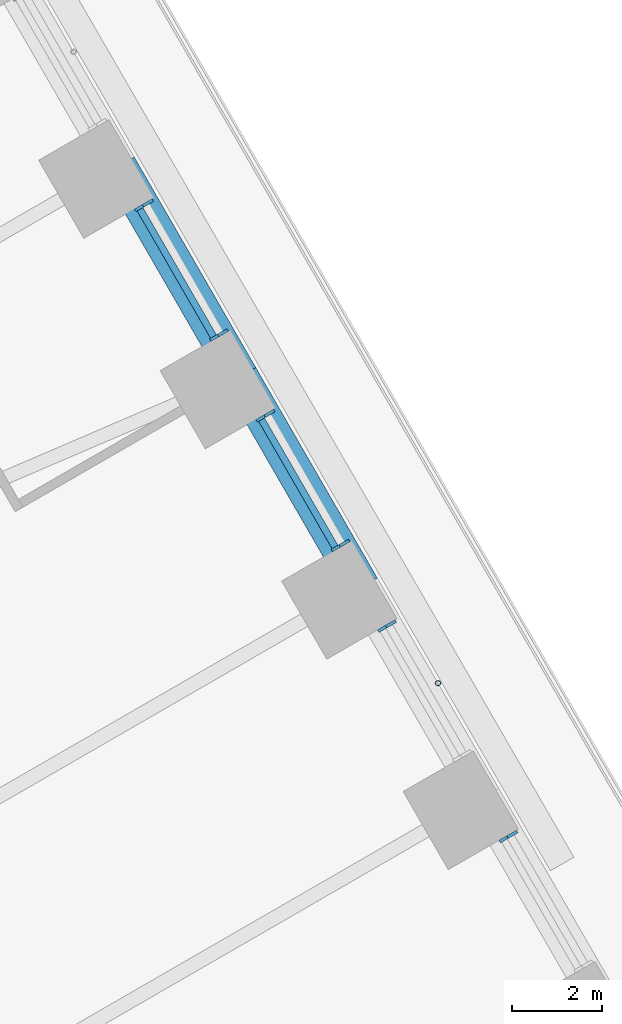
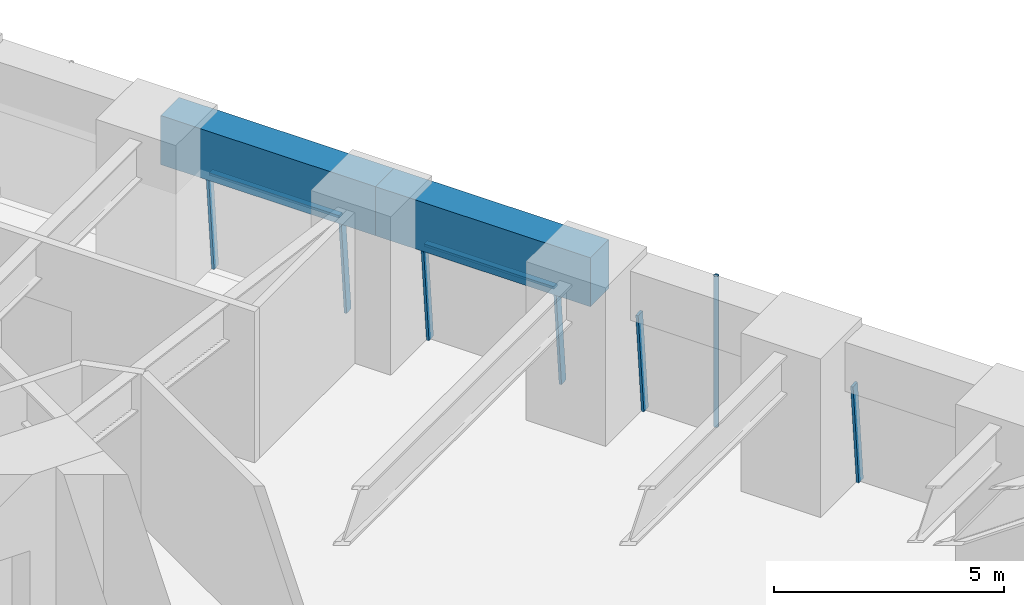
# One storey, part 13 of 23: 9 members, 2 beams, 4 elements without a shape of their own.
"""IFC4 building model written with IfcOpenShell, lengths in metres."""

import ifcopenshell
import ifcopenshell.guid

model = None  # the IFC model being written
_history = None  # IfcOwnerHistory: only IFC2X3 demands one
_inside = {}  # id of a spatial element -> (the spatial element, [elements in it])
_under = {}  # id of a project, library or spatial element -> (it, [spatial elements below it])
_declared = {}  # id of a project -> (the project, [libraries it declares])
_typed = {}  # id of a type object -> (the type object, [elements of that type])
_made_of = {}  # id of a material, layer set ... -> (it, [elements and type objects made of it])


def new_model(schema):
    """Start an empty IFC model of exactly this schema.

    Asked for "IFC4X3", IfcOpenShell would pick the latest addendum, in which some entities
    have other attributes; the version numbers below select the first issue.
    IFC2X3 requires an IfcOwnerHistory on every rooted entity: one is made here for all.
    """
    global model, _history
    if schema == "IFC4X3":
        model = ifcopenshell.file(schema_version=(4, 3, 0, 0))
    else:
        model = ifcopenshell.file(schema=schema)
    _inside.clear()
    _under.clear()
    _declared.clear()
    _typed.clear()
    _made_of.clear()
    _history = None
    if model.schema == "IFC2X3":
        org = make("IfcOrganization", Name="unknown")
        user = make(
            "IfcPersonAndOrganization",
            ThePerson=make("IfcPerson", FamilyName="unknown"),
            TheOrganization=org,
        )
        app = make(
            "IfcApplication",
            ApplicationDeveloper=org,
            Version="unknown",
            ApplicationFullName="unknown",
            ApplicationIdentifier="unknown",
        )
        _history = make(
            "IfcOwnerHistory",
            OwningUser=user,
            OwningApplication=app,
            ChangeAction="ADDED",
            CreationDate=0,
        )
    return model


def make(cls, **values):
    """One entity of the class cls with the attributes given. An attribute that is None is left unset."""
    return model.create_entity(
        cls, **{name: value for name, value in values.items() if value is not None}
    )


def rooted(cls, **values):
    """An entity with a GlobalId (a new one), such as an element, a storey or a relation."""
    return make(cls, GlobalId=ifcopenshell.guid.new(), OwnerHistory=_history, **values)


def si_unit(unit_type, name, prefix=None):
    """IfcSIUnit, for example si_unit("LENGTHUNIT", "METRE", prefix="MILLI")."""
    return make("IfcSIUnit", UnitType=unit_type, Prefix=prefix, Name=name)


def assignment(units):
    """IfcUnitAssignment: the units of a project."""
    return None if units is None else make("IfcUnitAssignment", Units=units)


def point(xyz):
    """IfcCartesianPoint."""
    return None if xyz is None else make("IfcCartesianPoint", Coordinates=xyz)


def direction(xyz):
    """IfcDirection."""
    return None if xyz is None else make("IfcDirection", DirectionRatios=xyz)


def frame(location, z_axis=None, x_axis=None):
    """IfcAxis2Placement3D, a coordinate frame: its origin and axes. An axis left out is left unset."""
    return make(
        "IfcAxis2Placement3D",
        Location=point(location),
        Axis=direction(z_axis),
        RefDirection=direction(x_axis),
    )


def frame_2d(location, x_axis=None):
    """IfcAxis2Placement2D, a coordinate frame in the plane: its origin and x axis."""
    return make(
        "IfcAxis2Placement2D", Location=point(location), RefDirection=direction(x_axis)
    )


def origin():
    """The frame at (0, 0, 0) with its axes left unset."""
    return frame((0.0, 0.0, 0.0))


def origin_2d():
    """The frame at (0, 0) in the plane with its x axis left unset."""
    return frame_2d((0.0, 0.0))


def place(relative_to, where):
    """IfcLocalPlacement: puts the frame where relative to a parent placement (None: the world)."""
    return make(
        "IfcLocalPlacement", PlacementRelTo=relative_to, RelativePlacement=where
    )


def context(
    kind, dimensions, precision=None, world=None, true_north=None, identifier=None
):
    """IfcGeometricRepresentationContext, for example the 3D "Model" context."""
    return make(
        "IfcGeometricRepresentationContext",
        ContextIdentifier=identifier,
        ContextType=kind,
        CoordinateSpaceDimension=dimensions,
        Precision=precision,
        WorldCoordinateSystem=world,
        TrueNorth=true_north,
    )


def subcontext(parent, identifier, kind, view, scale=None):
    """IfcGeometricRepresentationSubContext, for example "Body" below "Model"."""
    return make(
        "IfcGeometricRepresentationSubContext",
        ContextIdentifier=identifier,
        ContextType=kind,
        ParentContext=parent,
        TargetScale=scale,
        TargetView=view,
    )


def project(units=None, contexts=None):
    """IfcProject with its units and contexts."""
    return rooted(
        "IfcProject",
        Name="project",
        RepresentationContexts=contexts,
        UnitsInContext=assignment(units),
    )


def spatial(cls, under=None, at=None, **own):
    """A site, building, storey or space (cls), placed at a placement, below another one or the project."""
    s = rooted(cls, ObjectPlacement=at, **own)
    if under is not None:
        _under.setdefault(under.id(), (under, []))[1].append(s)
    return s


def profile(cls, at=None, kind="AREA", **sizes):
    """A parametric profile (cls). Its sizes go by their IFC names, for example OverallWidth=200.0."""
    return make(cls, ProfileType=kind, Position=at, **sizes)


def rectangle(**sizes):
    """IfcRectangleProfileDef."""
    return profile("IfcRectangleProfileDef", **sizes)


def hollow_circle(**sizes):
    """IfcCircleHollowProfileDef."""
    return profile("IfcCircleHollowProfileDef", **sizes)


def extrude(swept, where, along, depth):
    """IfcExtrudedAreaSolid: the profile swept, set in the frame where, extruded along a direction by depth."""
    return make(
        "IfcExtrudedAreaSolid",
        SweptArea=swept,
        Position=where,
        ExtrudedDirection=direction(along),
        Depth=depth,
    )


def shape(context_of_items, identifier, shape_type, items):
    """IfcShapeRepresentation: the items that make up one representation, for example the "Body"."""
    return make(
        "IfcShapeRepresentation",
        ContextOfItems=context_of_items,
        RepresentationIdentifier=identifier,
        RepresentationType=shape_type,
        Items=items,
    )


def material(Name=None, Category=None):
    """IfcMaterial."""
    return make("IfcMaterial", Name=Name, Category=Category)


def material_profile(
    of_material, cross_section, Name=None, Category=None, Priority=None
):
    """IfcMaterialProfile: a cross section and its material."""
    return make(
        "IfcMaterialProfile",
        Name=Name,
        Material=of_material,
        Profile=cross_section,
        Priority=Priority,
        Category=Category,
    )


def profile_set(profiles, Name=None, composite=None):
    """IfcMaterialProfileSet."""
    return make(
        "IfcMaterialProfileSet",
        Name=Name,
        MaterialProfiles=profiles,
        CompositeProfile=composite,
    )


def made_of(thing, what):
    """Note that an element or type object is made of a material, layer set ...; save() writes the relation."""
    if what is not None:
        _made_of.setdefault(what.id(), (what, []))[1].append(thing)
    return thing


def type_object(cls, material=None, **own):
    """A type object (cls), such as IfcWallType, which elements share."""
    return made_of(rooted(cls, **own), material)


def element(
    cls,
    number,
    at=None,
    inside=None,
    cuts=None,
    type_object=None,
    material=None,
    context=None,
    identifier="Body",
    shape_type=None,
    held_by="IfcProductDefinitionShape",
    body=None,
    shapes=None,
    **own,
):
    """One element of the class cls, such as IfcWall. Its Tag is "e" and its number.

    at: its placement. inside: the storey or other place that contains it. cuts: it is an
    opening in that element (IfcRelVoidsElement). A single representation is given by context,
    identifier, shape_type and body (its items); several are given by shapes. held_by: the class
    of the entity that holds the representations. save() writes the other relations.
    """
    e = rooted(cls, Tag="e%d" % number, ObjectPlacement=at, **own)
    if body is not None:
        shapes = [shape(context, identifier, shape_type, body)]
    if shapes is not None:
        e.Representation = make(held_by, Representations=shapes)
    if inside is not None:
        _inside.setdefault(inside.id(), (inside, []))[1].append(e)
    if cuts is not None:
        rooted(
            "IfcRelVoidsElement", RelatingBuildingElement=cuts, RelatedOpeningElement=e
        )
    if type_object is not None:
        _typed.setdefault(type_object.id(), (type_object, []))[1].append(e)
    return made_of(e, material)


def aggregate(whole, parts):
    """IfcRelAggregates: a whole, such as a stair, and the parts it consists of."""
    return rooted("IfcRelAggregates", RelatingObject=whole, RelatedObjects=parts)


def save(model, path):
    """Write the relations noted so far, then the file.

    IfcRelAggregates (storeys below a building ...), IfcRelContainedInSpatialStructure (elements
    in a storey), IfcRelDefinesByType, IfcRelAssociatesMaterial and IfcRelDeclares: one each for
    every whole, place, type object, material and project.
    """
    for whole, parts in _under.values():
        aggregate(whole, parts)
    for where, things in _inside.values():
        rooted(
            "IfcRelContainedInSpatialStructure",
            RelatedElements=things,
            RelatingStructure=where,
        )
    for kind, things in _typed.values():
        rooted("IfcRelDefinesByType", RelatedObjects=things, RelatingType=kind)
    for what, things in _made_of.values():
        rooted("IfcRelAssociatesMaterial", RelatedObjects=things, RelatingMaterial=what)
    for by, libraries in _declared.values():
        rooted("IfcRelDeclares", RelatingContext=by, RelatedDefinitions=libraries)
    model.write(path)


model = new_model("IFC4")

# Units and contexts
model_context = context("Model", 3, precision=1e-05, world=origin(), true_north=direction((0.0, 1.0)))
body_context = subcontext(model_context, "Body", "Model", "MODEL_VIEW")
ifc_project = project(units=[si_unit("LENGTHUNIT", "METRE"), si_unit("AREAUNIT", "SQUARE_METRE"), si_unit("VOLUMEUNIT", "CUBIC_METRE"), si_unit("PLANEANGLEUNIT", "RADIAN"), si_unit("MASSUNIT", "GRAM", prefix="KILO")], contexts=[model_context])

# Site, building, storey
site_placement = place(None, origin())
site = spatial("IfcSite", under=ifc_project, at=site_placement, CompositionType="ELEMENT")
building_placement = place(site_placement, origin())
building = spatial("IfcBuilding", under=site, at=building_placement, Name="Tarfa Lantern Tower", CompositionType="ELEMENT")
storey_placement = place(building_placement, frame((0.0, 0.0, 57.10009765625)))
storey = spatial("IfcBuildingStorey", under=building, at=storey_placement, Name="L12", CompositionType="ELEMENT", Elevation=57.10009765625)

# Curtain wall, member
ifc_material_1 = material(Name="Aluminium framed curtain wall", Category="aluminium")
curtain_wall_type = type_object("IfcCurtainWallType", Name="CW1 CANTED GLAZING LOW ZONE 2700", PredefinedType="USERDEFINED", material=ifc_material_1)
curtain_wall_1_placement = place(storey_placement, origin())
curtain_wall_1 = element("IfcCurtainWall", 1, at=curtain_wall_1_placement, inside=storey, type_object=curtain_wall_type, Name="CW1 NE L12", ObjectType="CURTAIN WALL", PredefinedType="USERDEFINED")
ifc_material_2 = material(Name="Aluminium mullion", Category="aluminium")
ifc_material_profile_1 = material_profile(ifc_material_2, rectangle(XDim=0.06494140625, YDim=0.199951171875, at=origin_2d()), Name="AL MULLION 65x200")
ifc_profile_set_1 = profile_set([ifc_material_profile_1], Name="Aluminium mullion")
member_type_1 = type_object("IfcMemberType", Name="CWM1 MULLION 65x200", PredefinedType="MULLION", material=ifc_profile_set_1)
member_1_placement = place(storey_placement, frame((35.26318359375, 6.722412109375, 0.0), z_axis=(-0.07986442134, -0.046099868913, 0.99573916077), x_axis=(0.499919672301, -0.866071776036, 0.0)))
member_1 = element("IfcMember", 2, at=member_1_placement, type_object=member_type_1, Name="CW1 mullion 2", PredefinedType="MULLION", context=body_context, shape_type="SweptSolid", body=[
    extrude(rectangle(XDim=0.06494140625, YDim=0.199951171875, at=origin_2d()), origin(), (0.0, 0.0, 1.0), 2.71142578125),
])
aggregate(curtain_wall_1, [member_1])

curtain_wall_2_placement = place(storey_placement, origin())
curtain_wall_2 = element("IfcCurtainWall", 3, at=curtain_wall_2_placement, inside=storey, type_object=curtain_wall_type, Name="CW1 NE L12", ObjectType="CURTAIN WALL", PredefinedType="USERDEFINED")
member_2_placement = place(storey_placement, frame((32.56884765625, 11.38916015625, 0.0), z_axis=(-0.07986442134, -0.046099868913, 0.99573916077), x_axis=(0.499919672301, -0.866071776036, 0.0)))
member_2 = element("IfcMember", 4, at=member_2_placement, type_object=member_type_1, Name="CW1 mullion 2", PredefinedType="MULLION", context=body_context, shape_type="SweptSolid", body=[
    extrude(rectangle(XDim=0.06494140625, YDim=0.199951171875, at=origin_2d()), origin(), (0.0, 0.0, 1.0), 2.71142578125),
])
aggregate(curtain_wall_2, [member_2])

# Curtain wall, members
curtain_wall_3_placement = place(storey_placement, origin())
curtain_wall_3 = element("IfcCurtainWall", 5, at=curtain_wall_3_placement, inside=storey, type_object=curtain_wall_type, Name="CW1 NE L12", ObjectType="CURTAIN WALL", PredefinedType="USERDEFINED")
member_3_placement = place(storey_placement, frame((31.536376953125, 13.177490234375, 0.0), z_axis=(-0.07986442134, -0.046099868913, 0.99573916077), x_axis=(0.499919672301, -0.866071776036, 0.0)))
member_3 = element("IfcMember", 6, at=member_3_placement, type_object=member_type_1, Name="CW1 mullion 1", PredefinedType="MULLION", context=body_context, shape_type="SweptSolid", body=[
    extrude(rectangle(XDim=0.06494140625, YDim=0.199951171875, at=origin_2d()), origin(), (0.0, 0.0, 1.0), 2.71142578125),
])
member_4_placement = place(storey_placement, frame((29.87451171875, 16.055908203125, 0.0), z_axis=(-0.07986442134, -0.046099868913, 0.99573916077), x_axis=(0.499919672301, -0.866071776036, 0.0)))
member_4 = element("IfcMember", 7, at=member_4_placement, type_object=member_type_1, Name="CW1 mullion 2", PredefinedType="MULLION", context=body_context, shape_type="SweptSolid", body=[
    extrude(rectangle(XDim=0.06494140625, YDim=0.199951171875, at=origin_2d()), origin(), (0.0, 0.0, 1.0), 2.71142578125),
])

curtain_wall_4_placement = place(storey_placement, origin())
curtain_wall_4 = element("IfcCurtainWall", 8, at=curtain_wall_4_placement, inside=storey, type_object=curtain_wall_type, Name="CW1 NE L12", ObjectType="CURTAIN WALL", PredefinedType="USERDEFINED")
member_5_placement = place(storey_placement, frame((28.842041015625, 17.84423828125, 0.0), z_axis=(-0.07986442134, -0.046099868913, 0.99573916077), x_axis=(0.499919672301, -0.866071776036, 0.0)))
member_5 = element("IfcMember", 9, at=member_5_placement, type_object=member_type_1, Name="CW1 mullion 1", PredefinedType="MULLION", context=body_context, shape_type="SweptSolid", body=[
    extrude(rectangle(XDim=0.06494140625, YDim=0.199951171875, at=origin_2d()), origin(), (0.0, 0.0, 1.0), 2.71142578125),
])
member_6_placement = place(storey_placement, frame((27.18017578125, 20.722412109375, 0.0), z_axis=(-0.07986442134, -0.046099868913, 0.99573916077), x_axis=(0.499919672301, -0.866071776036, 0.0)))
member_6 = element("IfcMember", 10, at=member_6_placement, type_object=member_type_1, Name="CW1 mullion 2", PredefinedType="MULLION", context=body_context, shape_type="SweptSolid", body=[
    extrude(rectangle(XDim=0.06494140625, YDim=0.199951171875, at=origin_2d()), origin(), (0.0, 0.0, 1.0), 2.71142578125),
])

# Member
ifc_material_3 = material(Name="Aluminium transom", Category="aluminium")
ifc_material_profile_2 = material_profile(ifc_material_3, rectangle(XDim=0.14990234375, YDim=0.06494140625, at=origin_2d()), Name="AL TRANSOM 150x65")
ifc_profile_set_2 = profile_set([ifc_material_profile_2], Name="Aluminium transom")
member_type_2 = type_object("IfcMemberType", Name="CWT1 TRANSOM 150x65", PredefinedType="USERDEFINED", material=ifc_profile_set_2)
member_7_placement = place(storey_placement, frame((31.30615234375, 13.082275390625, 2.66748046875), z_axis=(-0.500022939057, 0.866012159509, 0.0), x_axis=(-0.866012159509, -0.500022939057, 0.0)))
member_7 = element("IfcMember", 11, at=member_7_placement, type_object=member_type_2, Name="CW1 transom 1.2", ObjectType="TRANSOM", PredefinedType="USERDEFINED", context=body_context, shape_type="SweptSolid", body=[
    extrude(rectangle(XDim=0.14990234375, YDim=0.06494140625, at=origin_2d()), origin(), (0.0, 0.0, 1.0), 3.258544921875),
])

aggregate(curtain_wall_3, [member_3, member_4, member_7])

member_8_placement = place(storey_placement, frame((28.61181640625, 17.748779296875, 2.66748046875), z_axis=(-0.499966746847, 0.86604460165, 0.0), x_axis=(-0.86604460165, -0.499966746847, 0.0)))
member_8 = element("IfcMember", 12, at=member_8_placement, type_object=member_type_2, Name="CW1 transom 1.2", ObjectType="TRANSOM", PredefinedType="USERDEFINED", context=body_context, shape_type="SweptSolid", body=[
    extrude(rectangle(XDim=0.14990234375, YDim=0.06494140625, at=origin_2d()), origin(), (0.0, 0.0, 1.0), 3.258544921875),
])

aggregate(curtain_wall_4, [member_5, member_6, member_8])

# Beams
ifc_material_4 = material(Name="Concrete C80/95", Category="concrete")
ifc_material_profile_3 = material_profile(ifc_material_4, rectangle(XDim=0.800048828125, YDim=1.300048828125, at=origin_2d()), Name="RC 800x1300")
ifc_profile_set_3 = profile_set([ifc_material_profile_3], Name="Concrete C80/95")
beam_type = type_object("IfcBeamType", Name="EB1 RC 800x1300", PredefinedType="SPANDREL", material=ifc_profile_set_3)
beam_1_placement = place(storey_placement, frame((31.896728515625, 12.193359375, 3.349853515625), z_axis=(-0.499998287579, 0.866026392449, 0.0), x_axis=(-0.866026392449, -0.499998287579, 0.0)))
element("IfcBeam", 13, at=beam_1_placement, inside=storey, type_object=beam_type, Name="Edge beam NE2", PredefinedType="SPANDREL", context=body_context, shape_type="SweptSolid", body=[
    extrude(rectangle(XDim=0.800048828125, YDim=1.300048828125, at=origin_2d()), origin(), (0.0, 0.0, 1.0), 5.388671875),
])
beam_2_placement = place(storey_placement, frame((29.202392578125, 16.860107421875, 3.349853515625), z_axis=(-0.500017906299, 0.866015065331, 0.0), x_axis=(-0.866015065331, -0.500017906299, 0.0)))
element("IfcBeam", 14, at=beam_2_placement, inside=storey, type_object=beam_type, Name="Edge beam NE3", PredefinedType="SPANDREL", context=body_context, shape_type="SweptSolid", body=[
    extrude(rectangle(XDim=0.800048828125, YDim=1.300048828125, at=origin_2d()), origin(), (0.0, 0.0, 1.0), 5.388427734375),
])

# Member
ifc_material_5 = material(Name="Steel S355", Category="steel")
ifc_material_profile_4 = material_profile(ifc_material_5, hollow_circle(Radius=0.05712890625, WallThickness=0.00634765625, at=origin_2d()), Name="CHS114.3x6.3")
ifc_profile_set_4 = profile_set([ifc_material_profile_4], Name="Steel S355")
member_type_3 = type_object("IfcMemberType", Name="TR1 GREEN WALL TRELLIS CHS114.3x6.3", PredefinedType="USERDEFINED", material=ifc_profile_set_4)
member_9_placement = place(storey_placement, frame((33.59033203125, 10.06005859375, 0.0), z_axis=(0.0, 0.0, 1.0), x_axis=(1.0, 0.0, 0.0)))
element("IfcMember", 15, at=member_9_placement, inside=storey, type_object=member_type_3, Name="Trellis post NE 1", ObjectType="TRELLIS", PredefinedType="USERDEFINED", context=body_context, shape_type="SweptSolid", body=[
    extrude(hollow_circle(Radius=0.05712890625, WallThickness=0.00634765625, at=origin_2d()), origin(), (0.0, 0.0, 1.0), 4.0),
])

save(model, "model.ifc")
